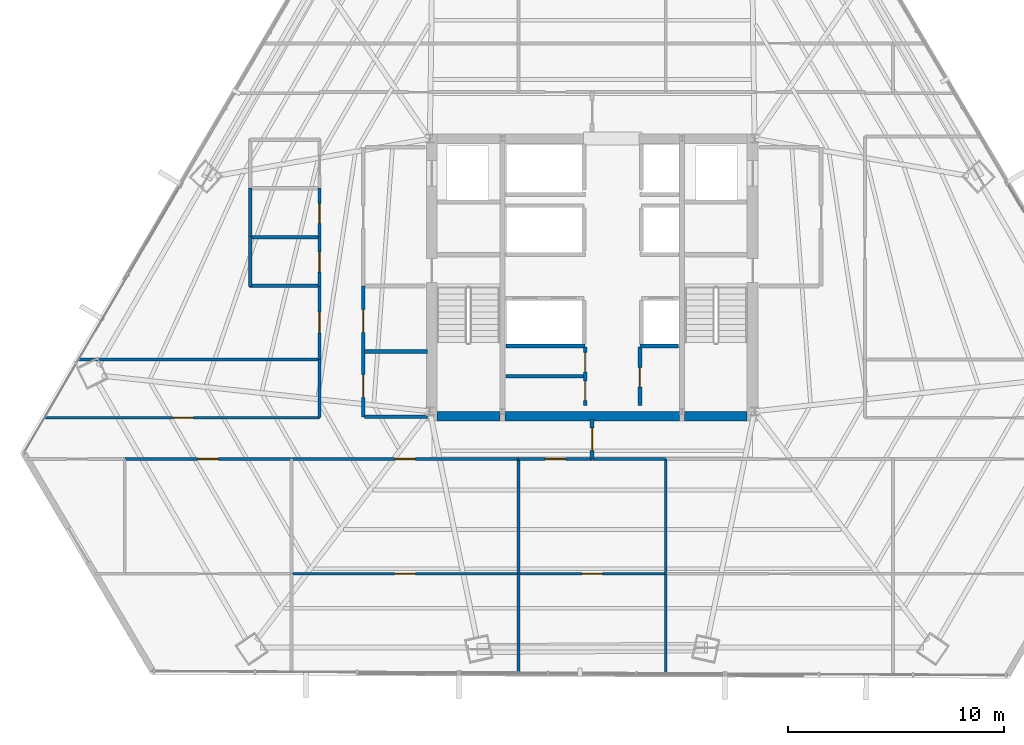
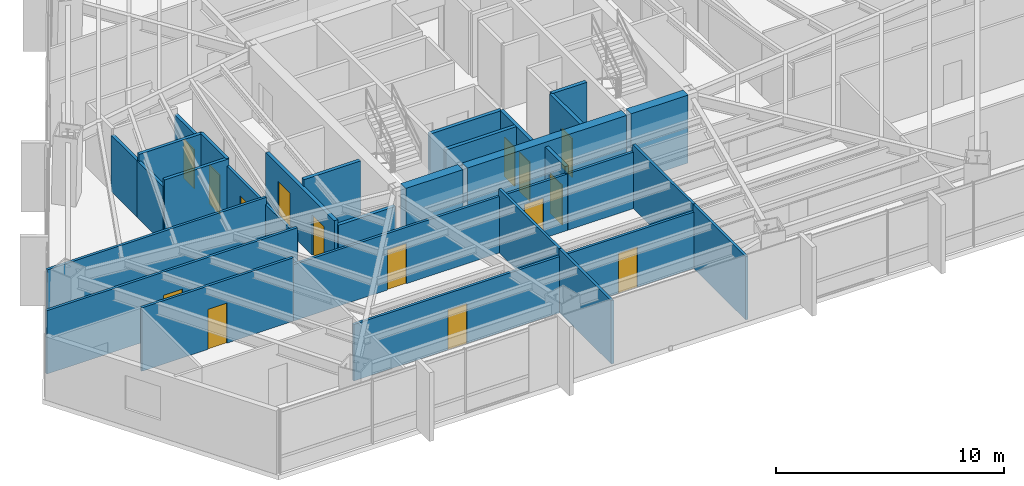
# One storey, part 29 of 35: 32 walls, 15 doors, 15 openings.
"""IFC4 building model written with IfcOpenShell, lengths in metres."""

from ifc_helpers import new_model, si_unit, direction, frame, frame_2d, origin, place, context, subcontext, project, spatial, rectangle, extrude, material, layer, layer_set, type_object, element, fill, save


model = new_model("IFC4")

# Units and contexts
model_context = context("Model", 3, precision=1e-05, world=origin(), true_north=direction((0.0, 1.0)))
body_context = subcontext(model_context, "Body", "Model", "MODEL_VIEW")
ifc_project = project(units=[si_unit("LENGTHUNIT", "METRE"), si_unit("AREAUNIT", "SQUARE_METRE"), si_unit("VOLUMEUNIT", "CUBIC_METRE"), si_unit("PLANEANGLEUNIT", "RADIAN"), si_unit("MASSUNIT", "GRAM", prefix="KILO")], contexts=[model_context])

# Site, building, storey
site_placement = place(None, origin())
site = spatial("IfcSite", under=ifc_project, at=site_placement, CompositionType="ELEMENT")
building_placement = place(site_placement, origin())
building = spatial("IfcBuilding", under=site, at=building_placement, Name="Caelisora Broadcast Tower", CompositionType="ELEMENT")
storey_placement = place(building_placement, frame((0.0, 0.0, 109.050048828125)))
storey = spatial("IfcBuildingStorey", under=building, at=storey_placement, Name="L28", CompositionType="ELEMENT", Elevation=109.050048828125)

# Walls
ifc_material_1 = material(Name="Concrete 50 MPa (AS 3600 S50)", Category="concrete")
ifc_layer_1 = layer(ifc_material_1, 0.449951171875, Name="Concrete 50 MPa (AS 3600 S50)")
ifc_layer_set_1 = layer_set([ifc_layer_1], Name="Concrete 50 MPa (AS 3600 S50)")
wall_type_1 = type_object("IfcWallType", Name="CW5", PredefinedType="SHEAR", material=ifc_layer_set_1)
wall_1_placement = place(storey_placement, frame((30.840087890625, 17.175048828125, 0.0), z_axis=(0.0, 0.0, 1.0), x_axis=(1.0, 0.0, 0.0)))
element("IfcWall", 1, at=wall_1_placement, inside=storey, type_object=wall_type_1, Name="L28 core shear wall CW5", PredefinedType="SHEAR", context=body_context, shape_type="SweptSolid", body=[
    extrude(rectangle(XDim=2.89990234375, YDim=0.449951171875, at=frame_2d((1.449951171875, 0.0))), origin(), (0.0, 0.0, 1.0), 3.64990234375),
])
wall_2_placement = place(storey_placement, frame((33.9599609375, 17.175048828125, 0.0), z_axis=(0.0, 0.0, 1.0), x_axis=(1.0, 0.0, 0.0)))
element("IfcWall", 2, at=wall_2_placement, inside=storey, type_object=wall_type_1, Name="L28 core shear wall CW5", PredefinedType="SHEAR", context=body_context, shape_type="SweptSolid", body=[
    extrude(rectangle(XDim=8.080078125, YDim=0.449951171875, at=frame_2d((4.0400390625, 0.0))), origin(), (0.0, 0.0, 1.0), 3.64990234375),
])
wall_3_placement = place(storey_placement, frame((42.260009765625, 17.175048828125, 0.0), z_axis=(0.0, 0.0, 1.0), x_axis=(1.0, 0.0, 0.0)))
element("IfcWall", 3, at=wall_3_placement, inside=storey, type_object=wall_type_1, Name="L28 core shear wall CW5", PredefinedType="SHEAR", context=body_context, shape_type="SweptSolid", body=[
    extrude(rectangle(XDim=2.89990234375, YDim=0.449951171875, at=frame_2d((1.449951171875, 0.0))), origin(), (0.0, 0.0, 1.0), 3.64990234375),
])
ifc_material_2 = material(Name="Fire-Rated Gypsum Shaft and Compartment Wall", Category="gypsum")
ifc_layer_2 = layer(ifc_material_2, 0.179931640625, Name="Fire-Rated Gypsum Shaft and Compartment Wall")
ifc_layer_set_2 = layer_set([ifc_layer_2], Name="Fire-Rated Gypsum Shaft and Compartment Wall")
wall_type_2 = type_object("IfcWallType", Name="PW2", PredefinedType="PARTITIONING", material=ifc_layer_set_2)
wall_4_placement = place(storey_placement, frame((34.02001953125, 20.419921875, 0.0), z_axis=(0.0, 0.0, 1.0), x_axis=(1.0, 0.0, 0.0)))
element("IfcWall", 4, at=wall_4_placement, inside=storey, type_object=wall_type_2, Name="L28 fire compartment wall PW2", PredefinedType="PARTITIONING", context=body_context, shape_type="SweptSolid", body=[
    extrude(rectangle(XDim=3.639892578125, YDim=0.179931640625, at=frame_2d((1.81982421875, 0.0))), origin(), (0.0, 0.0, 1.0), 3.39990234375),
])
wall_5_placement = place(storey_placement, frame((40.219970703125, 20.419921875, 0.0), z_axis=(0.0, 0.0, 1.0), x_axis=(1.0, 0.0, 0.0)))
element("IfcWall", 5, at=wall_5_placement, inside=storey, type_object=wall_type_2, Name="L28 fire compartment wall PW2", PredefinedType="PARTITIONING", context=body_context, shape_type="SweptSolid", body=[
    extrude(rectangle(XDim=1.760009765625, YDim=0.179931640625, at=frame_2d((0.8798828125, 0.0))), origin(), (0.0, 0.0, 1.0), 3.39990234375),
])
wall_6_placement = place(storey_placement, frame((34.02001953125, 19.02001953125, 0.0), z_axis=(0.0, 0.0, 1.0), x_axis=(1.0, 0.0, 0.0)))
element("IfcWall", 6, at=wall_6_placement, inside=storey, type_object=wall_type_2, Name="L28 fire compartment wall PW2", PredefinedType="PARTITIONING", context=body_context, shape_type="SweptSolid", body=[
    extrude(rectangle(XDim=3.580078125, YDim=0.179931640625, at=frame_2d((1.7900390625, 0.0))), origin(), (0.0, 0.0, 1.0), 3.39990234375),
])

# Wall, openings, doors
wall_7_placement = place(storey_placement, frame((37.679931640625, 17.679931640625, 0.0), z_axis=(0.0, 0.0, 1.0), x_axis=(0.0, 1.0, 0.0)))
wall_7 = element("IfcWall", 7, at=wall_7_placement, inside=storey, type_object=wall_type_2, Name="L28 fire compartment wall PW2", PredefinedType="PARTITIONING", context=body_context, shape_type="SweptSolid", body=[
    extrude(rectangle(XDim=2.699951171875, YDim=0.179931640625, at=frame_2d((1.35009765625, 0.0))), origin(), (0.0, 0.0, 1.0), 3.39990234375),
])
opening_1_placement = place(wall_7_placement, frame((0.219970703125, 0.0, 0.0)))
opening_1 = element("IfcOpeningElement", 8, at=opening_1_placement, cuts=wall_7, Name="Opening FD03", PredefinedType="OPENING", context=body_context, shape_type="SweptSolid", body=[
    extrude(rectangle(XDim=0.89990234375, YDim=2.10009765625, at=frame_2d((0.449951171875, 1.050048828125))), frame((0.0, 0.10205078125, 0.0), z_axis=(0.0, -1.0, 0.0), x_axis=(1.0, 0.0, 0.0)), (0.0, 0.0, 1.0), 0.203857421875),
])
opening_2_placement = place(wall_7_placement, frame((1.5400390625, 0.0, 0.0)))
opening_2 = element("IfcOpeningElement", 9, at=opening_2_placement, cuts=wall_7, Name="Opening FD03", PredefinedType="OPENING", context=body_context, shape_type="SweptSolid", body=[
    extrude(rectangle(XDim=0.89990234375, YDim=2.10009765625, at=frame_2d((0.449951171875, 1.050048828125))), frame((0.0, 0.10205078125, 0.0), z_axis=(0.0, -1.0, 0.0), x_axis=(1.0, 0.0, 0.0)), (0.0, 0.0, 1.0), 0.203857421875),
])
ifc_material_3 = material(Name="Single-Leaf Steel Riser Fire Access Door", Category="steel")
door_type_1 = type_object("IfcDoorType", Name="FD03", OperationType="NOTDEFINED", PredefinedType="DOOR", material=ifc_material_3)
door_1_placement = place(opening_1_placement, origin())
door_1 = element("IfcDoor", 10, at=door_1_placement, inside=storey, type_object=door_type_1, Name="L28 door FD03 (L28-DR-P12D1)", OperationType="SINGLE_SWING_RIGHT", OverallHeight=2.10009765625, OverallWidth=0.89990234375, PredefinedType="DOOR", context=body_context, shape_type="SweptSolid", body=[
    extrude(rectangle(XDim=0.89990234375, YDim=2.10009765625, at=frame_2d((0.449951171875, 1.050048828125))), frame((0.0, 0.02490234375, 0.0), z_axis=(0.0, -1.0, 0.0), x_axis=(1.0, 0.0, 0.0)), (0.0, 0.0, 1.0), 0.050048828125),
])
fill(opening_1, door_1)
door_2_placement = place(opening_2_placement, origin())
door_2 = element("IfcDoor", 11, at=door_2_placement, inside=storey, type_object=door_type_1, Name="L28 door FD03 (L28-DR-P12D2)", OperationType="SINGLE_SWING_LEFT", OverallHeight=2.10009765625, OverallWidth=0.89990234375, PredefinedType="DOOR", context=body_context, shape_type="SweptSolid", body=[
    extrude(rectangle(XDim=0.89990234375, YDim=2.10009765625, at=frame_2d((0.449951171875, 1.050048828125))), frame((0.0, 0.02490234375, 0.0), z_axis=(0.0, -1.0, 0.0), x_axis=(1.0, 0.0, 0.0)), (0.0, 0.0, 1.0), 0.050048828125),
])
fill(opening_2, door_2)

# Wall, opening, door
wall_8_placement = place(storey_placement, frame((40.199951171875, 17.679931640625, 0.0), z_axis=(0.0, 0.0, 1.0), x_axis=(0.0, 1.0, 0.0)))
wall_8 = element("IfcWall", 12, at=wall_8_placement, inside=storey, type_object=wall_type_2, Name="L28 fire compartment wall PW2", PredefinedType="PARTITIONING", context=body_context, shape_type="SweptSolid", body=[
    extrude(rectangle(XDim=2.699951171875, YDim=0.179931640625, at=frame_2d((1.35009765625, 0.0))), origin(), (0.0, 0.0, 1.0), 3.39990234375),
])
opening_3_placement = place(wall_8_placement, frame((0.85009765625, 0.0, 0.0)))
opening_3 = element("IfcOpeningElement", 13, at=opening_3_placement, cuts=wall_8, Name="Opening FD03", PredefinedType="OPENING", context=body_context, shape_type="SweptSolid", body=[
    extrude(rectangle(XDim=0.89990234375, YDim=2.10009765625, at=frame_2d((0.449951171875, 1.050048828125))), frame((0.0, 0.10205078125, 0.0), z_axis=(0.0, -1.0, 0.0), x_axis=(1.0, 0.0, 0.0)), (0.0, 0.0, 1.0), 0.203857421875),
])
door_3_placement = place(opening_3_placement, origin())
door_3 = element("IfcDoor", 14, at=door_3_placement, inside=storey, type_object=door_type_1, Name="L28 door FD03 (L28-DR-P13D1)", OperationType="SINGLE_SWING_RIGHT", OverallHeight=2.10009765625, OverallWidth=0.89990234375, PredefinedType="DOOR", context=body_context, shape_type="SweptSolid", body=[
    extrude(rectangle(XDim=0.89990234375, YDim=2.10009765625, at=frame_2d((0.449951171875, 1.050048828125))), frame((0.0, 0.02490234375, 0.0), z_axis=(0.0, -1.0, 0.0), x_axis=(1.0, 0.0, 0.0)), (0.0, 0.0, 1.0), 0.050048828125),
])
fill(opening_3, door_3)

# Wall
wall_9_placement = place(storey_placement, frame((27.47998046875, 20.169921875, 0.0), z_axis=(0.0, 0.0, 1.0), x_axis=(1.0, 0.0, 0.0)))
element("IfcWall", 15, at=wall_9_placement, inside=storey, type_object=wall_type_2, Name="L28 fire compartment wall PW2", PredefinedType="PARTITIONING", context=body_context, shape_type="SweptSolid", body=[
    extrude(rectangle(XDim=2.89990234375, YDim=0.179931640625, at=frame_2d((1.449951171875, 0.0))), origin(), (0.0, 0.0, 1.0), 3.39990234375),
])

# Wall, openings, doors
wall_10_placement = place(storey_placement, frame((27.419921875, 17.14990234375, 0.0), z_axis=(0.0, 0.0, 1.0), x_axis=(0.0, 1.0, 0.0)))
wall_10 = element("IfcWall", 16, at=wall_10_placement, inside=storey, type_object=wall_type_2, Name="L28 fire compartment wall PW2", PredefinedType="PARTITIONING", context=body_context, shape_type="SweptSolid", body=[
    extrude(rectangle(XDim=6.030029296875, YDim=0.179931640625, at=frame_2d((3.01513671875, 0.0))), origin(), (0.0, 0.0, 1.0), 3.0263671875),
])
opening_4_placement = place(wall_10_placement, frame((0.89990234375, 0.0, 0.0)))
opening_4 = element("IfcOpeningElement", 17, at=opening_4_placement, cuts=wall_10, Name="Opening FD02", PredefinedType="OPENING", context=body_context, shape_type="SweptSolid", body=[
    extrude(rectangle(XDim=1.050048828125, YDim=2.14990234375, at=frame_2d((0.52490234375, 1.074951171875))), frame((0.0, 0.10205078125, 0.0), z_axis=(0.0, -1.0, 0.0), x_axis=(1.0, 0.0, 0.0)), (0.0, 0.0, 1.0), 0.203857421875),
])
opening_5_placement = place(wall_10_placement, frame((3.89990234375, 0.0, 0.0)))
opening_5 = element("IfcOpeningElement", 18, at=opening_5_placement, cuts=wall_10, Name="Opening FD02", PredefinedType="OPENING", context=body_context, shape_type="SweptSolid", body=[
    extrude(rectangle(XDim=1.050048828125, YDim=2.14990234375, at=frame_2d((0.52490234375, 1.074951171875))), frame((0.0, 0.10205078125, 0.0), z_axis=(0.0, -1.0, 0.0), x_axis=(1.0, 0.0, 0.0)), (0.0, 0.0, 1.0), 0.203857421875),
])
ifc_material_4 = material(Name="Single-Leaf Steel Fire Lobby Door", Category="steel")
door_type_2 = type_object("IfcDoorType", Name="FD02", OperationType="NOTDEFINED", PredefinedType="DOOR", material=ifc_material_4)
door_4_placement = place(opening_4_placement, origin())
door_4 = element("IfcDoor", 19, at=door_4_placement, inside=storey, type_object=door_type_2, Name="L28 door FD02 (L28-DR-P15D1)", OperationType="SINGLE_SWING_LEFT", OverallHeight=2.14990234375, OverallWidth=1.050048828125, PredefinedType="DOOR", context=body_context, shape_type="SweptSolid", body=[
    extrude(rectangle(XDim=1.050048828125, YDim=2.14990234375, at=frame_2d((0.52490234375, 1.074951171875))), frame((0.0, 0.02490234375, 0.0), z_axis=(0.0, -1.0, 0.0), x_axis=(1.0, 0.0, 0.0)), (0.0, 0.0, 1.0), 0.050048828125),
])
fill(opening_4, door_4)
door_5_placement = place(opening_5_placement, origin())
door_5 = element("IfcDoor", 20, at=door_5_placement, inside=storey, type_object=door_type_2, Name="L28 door FD02 (L28-DR-P15D2)", OperationType="SINGLE_SWING_RIGHT", OverallHeight=2.14990234375, OverallWidth=1.050048828125, PredefinedType="DOOR", context=body_context, shape_type="SweptSolid", body=[
    extrude(rectangle(XDim=1.050048828125, YDim=2.14990234375, at=frame_2d((0.52490234375, 1.074951171875))), frame((0.0, 0.02490234375, 0.0), z_axis=(0.0, -1.0, 0.0), x_axis=(1.0, 0.0, 0.0)), (0.0, 0.0, 1.0), 0.050048828125),
])
fill(opening_5, door_5)

# Wall
wall_11_placement = place(storey_placement, frame((27.47998046875, 17.14990234375, 0.0), z_axis=(0.0, 0.0, 1.0), x_axis=(1.0, 0.0, 0.0)))
element("IfcWall", 21, at=wall_11_placement, inside=storey, type_object=wall_type_2, Name="L28 fire compartment wall PW2", PredefinedType="PARTITIONING", context=body_context, shape_type="SweptSolid", body=[
    extrude(rectangle(XDim=2.89990234375, YDim=0.179931640625, at=frame_2d((1.449951171875, 0.0))), origin(), (0.0, 0.0, 1.0), 2.78271484375),
])

# Wall, opening, door
wall_12_placement = place(storey_placement, frame((38.0, 15.205078125, 0.0), z_axis=(0.0, 0.0, 1.0), x_axis=(0.0, 1.0, 0.0)))
wall_12 = element("IfcWall", 22, at=wall_12_placement, inside=storey, type_object=wall_type_2, Name="L28 fire compartment wall PW2", PredefinedType="PARTITIONING", context=body_context, shape_type="SweptSolid", body=[
    extrude(rectangle(XDim=1.81982421875, YDim=0.179931640625, at=frame_2d((0.909912109375, 0.0))), origin(), (0.0, 0.0, 1.0), 3.39990234375),
])
opening_6_placement = place(wall_12_placement, frame((0.385009765625, 0.0, 0.0)))
opening_6 = element("IfcOpeningElement", 23, at=opening_6_placement, cuts=wall_12, Name="Opening FD02", PredefinedType="OPENING", context=body_context, shape_type="SweptSolid", body=[
    extrude(rectangle(XDim=1.050048828125, YDim=2.14990234375, at=frame_2d((0.52490234375, 1.074951171875))), frame((0.0, 0.10205078125, 0.0), z_axis=(0.0, -1.0, 0.0), x_axis=(1.0, 0.0, 0.0)), (0.0, 0.0, 1.0), 0.203857421875),
])
door_6_placement = place(opening_6_placement, origin())
door_6 = element("IfcDoor", 24, at=door_6_placement, inside=storey, type_object=door_type_2, Name="L28 door FD02 (L28-DR-P78D1)", OperationType="SINGLE_SWING_LEFT", OverallHeight=2.14990234375, OverallWidth=1.050048828125, PredefinedType="DOOR", context=body_context, shape_type="SweptSolid", body=[
    extrude(rectangle(XDim=1.050048828125, YDim=2.14990234375, at=frame_2d((0.52490234375, 1.074951171875))), frame((0.0, 0.02490234375, 0.0), z_axis=(0.0, -1.0, 0.0), x_axis=(1.0, 0.0, 0.0)), (0.0, 0.0, 1.0), 0.050048828125),
])
fill(opening_6, door_6)

ifc_material_5 = material(Name="Acoustic Steel-Stud Plasterboard Partition", Category="gypsum")
ifc_layer_3 = layer(ifc_material_5, 0.1298828125, Name="Acoustic Steel-Stud Plasterboard Partition")
ifc_layer_set_3 = layer_set([ifc_layer_3], Name="Acoustic Steel-Stud Plasterboard Partition")
wall_type_3 = type_object("IfcWallType", Name="PW3", PredefinedType="PARTITIONING", material=ifc_layer_set_3)
wall_13_placement = place(storey_placement, frame((12.68603515625, 17.10009765625, 0.0), z_axis=(0.0, 0.0, 1.0), x_axis=(1.0, 0.0, 0.0)))
wall_13 = element("IfcWall", 25, at=wall_13_placement, inside=storey, type_object=wall_type_3, Name="L28 internal partition PW3", PredefinedType="PARTITIONING", context=body_context, shape_type="SweptSolid", body=[
    extrude(rectangle(XDim=12.708984375, YDim=0.1298828125, at=frame_2d((6.3544921875, 0.0))), origin(), (0.0, 0.0, 1.0), 3.39990234375),
])
opening_7_placement = place(wall_13_placement, frame((5.927978515625, 0.0, 0.0)))
opening_7 = element("IfcOpeningElement", 26, at=opening_7_placement, cuts=wall_13, Name="Opening D01", PredefinedType="OPENING", context=body_context, shape_type="SweptSolid", body=[
    extrude(rectangle(XDim=0.9599609375, YDim=2.14990234375, at=frame_2d((0.47998046875, 1.074951171875))), frame((0.0, 0.076904296875, 0.0), z_axis=(0.0, -1.0, 0.0), x_axis=(1.0, 0.0, 0.0)), (0.0, 0.0, 1.0), 0.15380859375),
])
ifc_material_6 = material(Name="Solid-Core Timber Acoustic Office Door", Category="wood")
door_type_3 = type_object("IfcDoorType", Name="D01", OperationType="NOTDEFINED", PredefinedType="DOOR", material=ifc_material_6)
door_7_placement = place(opening_7_placement, origin())
door_7 = element("IfcDoor", 27, at=door_7_placement, inside=storey, type_object=door_type_3, Name="L28 door D01 (L28-DR-P29D1)", OperationType="SINGLE_SWING_LEFT", OverallHeight=2.14990234375, OverallWidth=0.9599609375, PredefinedType="DOOR", context=body_context, shape_type="SweptSolid", body=[
    extrude(rectangle(XDim=0.9599609375, YDim=2.14990234375, at=frame_2d((0.47998046875, 1.074951171875))), frame((0.0, 0.02490234375, 0.0), z_axis=(0.0, -1.0, 0.0), x_axis=(1.0, 0.0, 0.0)), (0.0, 0.0, 1.0), 0.050048828125),
])
fill(opening_7, door_7)

# Wall
wall_14_placement = place(storey_placement, frame((14.26806640625, 19.800048828125, 0.0), z_axis=(0.0, 0.0, 1.0), x_axis=(1.0, 0.0, 0.0)))
element("IfcWall", 28, at=wall_14_placement, inside=storey, type_object=wall_type_3, Name="L28 internal partition PW3", PredefinedType="PARTITIONING", context=body_context, shape_type="SweptSolid", body=[
    extrude(rectangle(XDim=11.126953125, YDim=0.1298828125, at=frame_2d((5.5634765625, 0.0))), origin(), (0.0, 0.0, 1.0), 3.39990234375),
])

# Wall, opening, door
wall_15_placement = place(storey_placement, frame((24.10498046875, 15.199951171875, 0.0), z_axis=(0.0, 0.0, 1.0), x_axis=(1.0, 0.0, 0.0)))
wall_15 = element("IfcWall", 29, at=wall_15_placement, inside=storey, type_object=wall_type_3, Name="L28 internal partition PW3", PredefinedType="PARTITIONING", context=body_context, shape_type="SweptSolid", body=[
    extrude(rectangle(XDim=10.489990234375, YDim=0.1298828125, at=frame_2d((5.2451171875, 0.0))), origin(), (0.0, 0.0, 1.0), 3.0263671875),
])
opening_8_placement = place(wall_15_placement, frame((4.764892578125, 0.0, 0.0)))
opening_8 = element("IfcOpeningElement", 30, at=opening_8_placement, cuts=wall_15, Name="Opening D01", PredefinedType="OPENING", context=body_context, shape_type="SweptSolid", body=[
    extrude(rectangle(XDim=0.9599609375, YDim=2.14990234375, at=frame_2d((0.47998046875, 1.074951171875))), frame((0.0, 0.076904296875, 0.0), z_axis=(0.0, -1.0, 0.0), x_axis=(1.0, 0.0, 0.0)), (0.0, 0.0, 1.0), 0.15380859375),
])
door_8_placement = place(opening_8_placement, origin())
door_8 = element("IfcDoor", 31, at=door_8_placement, inside=storey, type_object=door_type_3, Name="L28 door D01 (L28-DR-P34D1)", OperationType="SINGLE_SWING_LEFT", OverallHeight=2.14990234375, OverallWidth=0.9599609375, PredefinedType="DOOR", context=body_context, shape_type="SweptSolid", body=[
    extrude(rectangle(XDim=0.9599609375, YDim=2.14990234375, at=frame_2d((0.47998046875, 1.074951171875))), frame((0.0, 0.02490234375, 0.0), z_axis=(0.0, -1.0, 0.0), x_axis=(1.0, 0.0, 0.0)), (0.0, 0.0, 1.0), 0.050048828125),
])
fill(opening_8, door_8)

wall_16_placement = place(storey_placement, frame((24.10498046875, 9.89990234375, 0.0), z_axis=(0.0, 0.0, 1.0), x_axis=(1.0, 0.0, 0.0)))
wall_16 = element("IfcWall", 32, at=wall_16_placement, inside=storey, type_object=wall_type_3, Name="L28 internal partition PW3", PredefinedType="PARTITIONING", context=body_context, shape_type="SweptSolid", body=[
    extrude(rectangle(XDim=10.489990234375, YDim=0.1298828125, at=frame_2d((5.2451171875, 0.0))), origin(), (0.0, 0.0, 1.0), 3.0263671875),
])
opening_9_placement = place(wall_16_placement, frame((4.764892578125, 0.0, 0.0)))
opening_9 = element("IfcOpeningElement", 33, at=opening_9_placement, cuts=wall_16, Name="Opening D01", PredefinedType="OPENING", context=body_context, shape_type="SweptSolid", body=[
    extrude(rectangle(XDim=0.9599609375, YDim=2.14990234375, at=frame_2d((0.47998046875, 1.074951171875))), frame((0.0, 0.076904296875, 0.0), z_axis=(0.0, -1.0, 0.0), x_axis=(1.0, 0.0, 0.0)), (0.0, 0.0, 1.0), 0.15380859375),
])
door_9_placement = place(opening_9_placement, origin())
door_9 = element("IfcDoor", 34, at=door_9_placement, inside=storey, type_object=door_type_3, Name="L28 door D01 (L28-DR-P36D1)", OperationType="SINGLE_SWING_LEFT", OverallHeight=2.14990234375, OverallWidth=0.9599609375, PredefinedType="DOOR", context=body_context, shape_type="SweptSolid", body=[
    extrude(rectangle(XDim=0.9599609375, YDim=2.14990234375, at=frame_2d((0.47998046875, 1.074951171875))), frame((0.0, 0.02490234375, 0.0), z_axis=(0.0, -1.0, 0.0), x_axis=(1.0, 0.0, 0.0)), (0.0, 0.0, 1.0), 0.050048828125),
])
fill(opening_9, door_9)

wall_17_placement = place(storey_placement, frame((16.405029296875, 15.199951171875, 0.0), z_axis=(0.0, 0.0, 1.0), x_axis=(1.0, 0.0, 0.0)))
wall_17 = element("IfcWall", 35, at=wall_17_placement, inside=storey, type_object=wall_type_3, Name="L28 internal partition PW3", PredefinedType="PARTITIONING", context=body_context, shape_type="SweptSolid", body=[
    extrude(rectangle(XDim=7.68994140625, YDim=0.1298828125, at=frame_2d((3.844970703125, 0.0))), origin(), (0.0, 0.0, 1.0), 3.39990234375),
])
opening_10_placement = place(wall_17_placement, frame((3.364990234375, 0.0, 0.0)))
opening_10 = element("IfcOpeningElement", 36, at=opening_10_placement, cuts=wall_17, Name="Opening D01", PredefinedType="OPENING", context=body_context, shape_type="SweptSolid", body=[
    extrude(rectangle(XDim=0.9599609375, YDim=2.14990234375, at=frame_2d((0.47998046875, 1.074951171875))), frame((0.0, 0.076904296875, 0.0), z_axis=(0.0, -1.0, 0.0), x_axis=(1.0, 0.0, 0.0)), (0.0, 0.0, 1.0), 0.15380859375),
])
door_10_placement = place(opening_10_placement, origin())
door_10 = element("IfcDoor", 37, at=door_10_placement, inside=storey, type_object=door_type_3, Name="L28 door D01 (L28-DR-P46D1)", OperationType="SINGLE_SWING_RIGHT", OverallHeight=2.14990234375, OverallWidth=0.9599609375, PredefinedType="DOOR", context=body_context, shape_type="SweptSolid", body=[
    extrude(rectangle(XDim=0.9599609375, YDim=2.14990234375, at=frame_2d((0.47998046875, 1.074951171875))), frame((0.0, 0.02490234375, 0.0), z_axis=(0.0, -1.0, 0.0), x_axis=(1.0, 0.0, 0.0)), (0.0, 0.0, 1.0), 0.050048828125),
])
fill(opening_10, door_10)

wall_18_placement = place(storey_placement, frame((34.60498046875, 9.89990234375, 0.0), z_axis=(0.0, 0.0, 1.0), x_axis=(1.0, 0.0, 0.0)))
wall_18 = element("IfcWall", 38, at=wall_18_placement, inside=storey, type_object=wall_type_3, Name="L28 internal partition PW3", PredefinedType="PARTITIONING", context=body_context, shape_type="SweptSolid", body=[
    extrude(rectangle(XDim=6.7900390625, YDim=0.1298828125, at=frame_2d((3.39501953125, 0.0))), origin(), (0.0, 0.0, 1.0), 3.0263671875),
])
opening_11_placement = place(wall_18_placement, frame((2.9150390625, 0.0, 0.0)))
opening_11 = element("IfcOpeningElement", 39, at=opening_11_placement, cuts=wall_18, Name="Opening D01", PredefinedType="OPENING", context=body_context, shape_type="SweptSolid", body=[
    extrude(rectangle(XDim=0.9599609375, YDim=2.14990234375, at=frame_2d((0.47998046875, 1.074951171875))), frame((0.0, 0.076904296875, 0.0), z_axis=(0.0, -1.0, 0.0), x_axis=(1.0, 0.0, 0.0)), (0.0, 0.0, 1.0), 0.15380859375),
])
door_11_placement = place(opening_11_placement, origin())
door_11 = element("IfcDoor", 40, at=door_11_placement, inside=storey, type_object=door_type_3, Name="L28 door D01 (L28-DR-P51D1)", OperationType="SINGLE_SWING_RIGHT", OverallHeight=2.14990234375, OverallWidth=0.9599609375, PredefinedType="DOOR", context=body_context, shape_type="SweptSolid", body=[
    extrude(rectangle(XDim=0.9599609375, YDim=2.14990234375, at=frame_2d((0.47998046875, 1.074951171875))), frame((0.0, 0.02490234375, 0.0), z_axis=(0.0, -1.0, 0.0), x_axis=(1.0, 0.0, 0.0)), (0.0, 0.0, 1.0), 0.050048828125),
])
fill(opening_11, door_11)

# Walls
for number, where, z_axis, x_axis, name in (
    (41, (34.60009765625, 9.905029296875, 0.0), (0.0, 0.0, 1.0), (0.0, 1.0, 0.0), "L28 internal partition PW3"),
    (42, (41.39990234375, 9.905029296875, 0.0), (0.0, 0.0, 1.0), (0.0, 1.0, 0.0), "L28 internal partition PW3"),
):
    element("IfcWall", number, at=place(storey_placement, frame(where, z_axis=z_axis, x_axis=x_axis)), inside=storey, type_object=wall_type_3, Name=name, PredefinedType="PARTITIONING", context=body_context, shape_type="SweptSolid", body=[
        extrude(rectangle(XDim=5.2900390625, YDim=0.1298828125, at=frame_2d((2.64501953125, 0.0))), origin(), (0.0, 0.0, 1.0), 3.39990234375),
    ])
wall_19_placement = place(storey_placement, frame((41.39990234375, 5.27587890625, 0.0), z_axis=(0.0, 0.0, 1.0), x_axis=(0.0, 1.0, 0.0)))
element("IfcWall", 43, at=wall_19_placement, inside=storey, type_object=wall_type_3, Name="L28 internal partition PW3", PredefinedType="PARTITIONING", context=body_context, shape_type="SweptSolid", body=[
    extrude(rectangle(XDim=4.619140625, YDim=0.1298828125, at=frame_2d((2.3095703125, 0.0))), origin(), (0.0, 0.0, 1.0), 3.39990234375),
])
wall_20_placement = place(storey_placement, frame((34.60009765625, 5.30712890625, 0.0), z_axis=(0.0, 0.0, 1.0), x_axis=(0.0, 1.0, 0.0)))
element("IfcWall", 44, at=wall_20_placement, inside=storey, type_object=wall_type_3, Name="L28 internal partition PW3", PredefinedType="PARTITIONING", context=body_context, shape_type="SweptSolid", body=[
    extrude(rectangle(XDim=4.587890625, YDim=0.1298828125, at=frame_2d((2.2939453125, 0.0))), origin(), (0.0, 0.0, 1.0), 3.39990234375),
])

# Wall, opening, door
wall_21_placement = place(storey_placement, frame((25.39990234375, 19.804931640625, 0.0), z_axis=(0.0, 0.0, 1.0), x_axis=(0.0, 1.0, 0.0)))
wall_21 = element("IfcWall", 45, at=wall_21_placement, inside=storey, type_object=wall_type_3, Name="L28 internal partition PW3", PredefinedType="PARTITIONING", context=body_context, shape_type="SweptSolid", body=[
    extrude(rectangle(XDim=3.39013671875, YDim=0.1298828125, at=frame_2d((1.695068359375, 0.0))), origin(), (0.0, 0.0, 1.0), 3.0263671875),
])
opening_12_placement = place(wall_21_placement, frame((1.215087890625, 0.0, 0.0)))
opening_12 = element("IfcOpeningElement", 46, at=opening_12_placement, cuts=wall_21, Name="Opening D01", PredefinedType="OPENING", context=body_context, shape_type="SweptSolid", body=[
    extrude(rectangle(XDim=0.9599609375, YDim=2.14990234375, at=frame_2d((0.47998046875, 1.074951171875))), frame((0.0, 0.076904296875, 0.0), z_axis=(0.0, -1.0, 0.0), x_axis=(1.0, 0.0, 0.0)), (0.0, 0.0, 1.0), 0.15380859375),
])
door_12_placement = place(opening_12_placement, origin())
door_12 = element("IfcDoor", 47, at=door_12_placement, inside=storey, type_object=door_type_3, Name="L28 door D01 (L28-DR-RSC01)", OperationType="SINGLE_SWING_LEFT", OverallHeight=2.14990234375, OverallWidth=0.9599609375, PredefinedType="DOOR", context=body_context, shape_type="SweptSolid", body=[
    extrude(rectangle(XDim=0.9599609375, YDim=2.14990234375, at=frame_2d((0.47998046875, 1.074951171875))), frame((0.0, 0.02490234375, 0.0), z_axis=(0.0, -1.0, 0.0), x_axis=(1.0, 0.0, 0.0)), (0.0, 0.0, 1.0), 0.050048828125),
])
fill(opening_12, door_12)

wall_22_placement = place(storey_placement, frame((34.60498046875, 15.199951171875, 0.0), z_axis=(0.0, 0.0, 1.0), x_axis=(1.0, 0.0, 0.0)))
wall_22 = element("IfcWall", 48, at=wall_22_placement, inside=storey, type_object=wall_type_3, Name="L28 internal partition PW3", PredefinedType="PARTITIONING", context=body_context, shape_type="SweptSolid", body=[
    extrude(rectangle(XDim=3.39013671875, YDim=0.1298828125, at=frame_2d((1.695068359375, 0.0))), origin(), (0.0, 0.0, 1.0), 3.0263671875),
])
opening_13_placement = place(wall_22_placement, frame((1.215087890625, 0.0, 0.0)))
opening_13 = element("IfcOpeningElement", 49, at=opening_13_placement, cuts=wall_22, Name="Opening D01", PredefinedType="OPENING", context=body_context, shape_type="SweptSolid", body=[
    extrude(rectangle(XDim=0.9599609375, YDim=2.14990234375, at=frame_2d((0.47998046875, 1.074951171875))), frame((0.0, 0.076904296875, 0.0), z_axis=(0.0, -1.0, 0.0), x_axis=(1.0, 0.0, 0.0)), (0.0, 0.0, 1.0), 0.15380859375),
])
door_13_placement = place(opening_13_placement, origin())
door_13 = element("IfcDoor", 50, at=door_13_placement, inside=storey, type_object=door_type_3, Name="L28 door D01 (L28-DR-P69D1)", OperationType="SINGLE_SWING_RIGHT", OverallHeight=2.14990234375, OverallWidth=0.9599609375, PredefinedType="DOOR", context=body_context, shape_type="SweptSolid", body=[
    extrude(rectangle(XDim=0.9599609375, YDim=2.14990234375, at=frame_2d((0.47998046875, 1.074951171875))), frame((0.0, 0.02490234375, 0.0), z_axis=(0.0, -1.0, 0.0), x_axis=(1.0, 0.0, 0.0)), (0.0, 0.0, 1.0), 0.050048828125),
])
fill(opening_13, door_13)

# Walls
wall_23_placement = place(storey_placement, frame((38.0048828125, 15.199951171875, 0.0), z_axis=(0.0, 0.0, 1.0), x_axis=(1.0, 0.0, 0.0)))
element("IfcWall", 51, at=wall_23_placement, inside=storey, type_object=wall_type_3, Name="L28 internal partition PW3", PredefinedType="PARTITIONING", context=body_context, shape_type="SweptSolid", body=[
    extrude(rectangle(XDim=3.39013671875, YDim=0.1298828125, at=frame_2d((1.695068359375, 0.0))), origin(), (0.0, 0.0, 1.0), 3.0263671875),
])
wall_24_placement = place(storey_placement, frame((25.39990234375, 17.10498046875, 0.0), z_axis=(0.0, 0.0, 1.0), x_axis=(0.0, 1.0, 0.0)))
element("IfcWall", 52, at=wall_24_placement, inside=storey, type_object=wall_type_3, Name="L28 internal partition PW3", PredefinedType="PARTITIONING", context=body_context, shape_type="SweptSolid", body=[
    extrude(rectangle(XDim=2.68994140625, YDim=0.1298828125, at=frame_2d((1.344970703125, 0.0))), origin(), (0.0, 0.0, 1.0), 3.0263671875),
])
ifc_material_7 = material(Name="Moisture-Resistant Wet Plumbing Service Wall", Category="gypsum")
ifc_layer_4 = layer(ifc_material_7, 0.159912109375, Name="Moisture-Resistant Wet Plumbing Service Wall")
ifc_layer_set_4 = layer_set([ifc_layer_4], Name="Moisture-Resistant Wet Plumbing Service Wall")
wall_type_4 = type_object("IfcWallType", Name="PW4", PredefinedType="PLUMBINGWALL", material=ifc_layer_set_4)
for number, where, z_axis, x_axis, name in (
    (53, (22.175048828125, 23.199951171875, 0.0), (0.0, 0.0, 1.0), (1.0, 0.0, 0.0), "L28 wet plumbing wall PW4"),
    (54, (22.175048828125, 25.449951171875, 0.0), (0.0, 0.0, 1.0), (1.0, 0.0, 0.0), "L28 wet plumbing wall PW4"),
):
    element("IfcWall", number, at=place(storey_placement, frame(where, z_axis=z_axis, x_axis=x_axis)), inside=storey, type_object=wall_type_4, Name=name, PredefinedType="PLUMBINGWALL", context=body_context, shape_type="SweptSolid", body=[
        extrude(rectangle(XDim=3.25, YDim=0.159912109375, at=frame_2d((1.625, 0.0))), origin(), (0.0, 0.0, 1.0), 3.39990234375),
    ])

# Wall, opening, door
wall_25_placement = place(storey_placement, frame((25.39990234375, 23.175048828125, 0.0), z_axis=(0.0, 0.0, 1.0), x_axis=(0.0, 1.0, 0.0)))
wall_25 = element("IfcWall", 55, at=wall_25_placement, inside=storey, type_object=wall_type_4, Name="L28 wet plumbing wall PW4", PredefinedType="PLUMBINGWALL", context=body_context, shape_type="SweptSolid", body=[
    extrude(rectangle(XDim=2.300048828125, YDim=0.159912109375, at=frame_2d((1.14990234375, 0.0))), origin(), (0.0, 0.0, 1.0), 3.39990234375),
])
opening_14_placement = place(wall_25_placement, frame((0.659912109375, 0.0, 0.0)))
opening_14 = element("IfcOpeningElement", 56, at=opening_14_placement, cuts=wall_25, Name="Opening D03", PredefinedType="OPENING", context=body_context, shape_type="SweptSolid", body=[
    extrude(rectangle(XDim=0.919921875, YDim=2.10009765625, at=frame_2d((0.4599609375, 1.050048828125))), frame((0.0, 0.092041015625, 0.0), z_axis=(0.0, -1.0, 0.0), x_axis=(1.0, 0.0, 0.0)), (0.0, 0.0, 1.0), 0.183837890625),
])
ifc_material_8 = material(Name="Laminate Moisture-Resistant Amenity WC Door", Category="wood")
door_type_4 = type_object("IfcDoorType", Name="D03", OperationType="NOTDEFINED", PredefinedType="DOOR", material=ifc_material_8)
door_14_placement = place(opening_14_placement, origin())
door_14 = element("IfcDoor", 57, at=door_14_placement, inside=storey, type_object=door_type_4, Name="L28 door D03 (L28-DR-P20D1)", OperationType="SINGLE_SWING_LEFT", OverallHeight=2.10009765625, OverallWidth=0.919921875, PredefinedType="DOOR", context=body_context, shape_type="SweptSolid", body=[
    extrude(rectangle(XDim=0.919921875, YDim=2.10009765625, at=frame_2d((0.4599609375, 1.050048828125))), frame((0.0, 0.02490234375, 0.0), z_axis=(0.0, -1.0, 0.0), x_axis=(1.0, 0.0, 0.0)), (0.0, 0.0, 1.0), 0.050048828125),
])
fill(opening_14, door_14)

wall_26_placement = place(storey_placement, frame((25.39990234375, 25.425048828125, 0.0), z_axis=(0.0, 0.0, 1.0), x_axis=(0.0, 1.0, 0.0)))
wall_26 = element("IfcWall", 58, at=wall_26_placement, inside=storey, type_object=wall_type_4, Name="L28 wet plumbing wall PW4", PredefinedType="PLUMBINGWALL", context=body_context, shape_type="SweptSolid", body=[
    extrude(rectangle(XDim=2.300048828125, YDim=0.159912109375, at=frame_2d((1.14990234375, 0.0))), origin(), (0.0, 0.0, 1.0), 3.0263671875),
])
opening_15_placement = place(wall_26_placement, frame((0.659912109375, 0.0, 0.0)))
opening_15 = element("IfcOpeningElement", 59, at=opening_15_placement, cuts=wall_26, Name="Opening D03", PredefinedType="OPENING", context=body_context, shape_type="SweptSolid", body=[
    extrude(rectangle(XDim=0.919921875, YDim=2.10009765625, at=frame_2d((0.4599609375, 1.050048828125))), frame((0.0, 0.092041015625, 0.0), z_axis=(0.0, -1.0, 0.0), x_axis=(1.0, 0.0, 0.0)), (0.0, 0.0, 1.0), 0.183837890625),
])
door_15_placement = place(opening_15_placement, origin())
door_15 = element("IfcDoor", 60, at=door_15_placement, inside=storey, type_object=door_type_4, Name="L28 door D03 (L28-DR-P21D1)", OperationType="SINGLE_SWING_RIGHT", OverallHeight=2.10009765625, OverallWidth=0.919921875, PredefinedType="DOOR", context=body_context, shape_type="SweptSolid", body=[
    extrude(rectangle(XDim=0.919921875, YDim=2.10009765625, at=frame_2d((0.4599609375, 1.050048828125))), frame((0.0, 0.02490234375, 0.0), z_axis=(0.0, -1.0, 0.0), x_axis=(1.0, 0.0, 0.0)), (0.0, 0.0, 1.0), 0.050048828125),
])
fill(opening_15, door_15)

# Walls
for number, where, z_axis, x_axis, name in (
    (61, (22.199951171875, 25.47509765625, 0.0), (0.0, 0.0, 1.0), (0.0, -1.0, 0.0), "L28 wet plumbing wall PW4"),
    (62, (22.199951171875, 25.425048828125, 0.0), (0.0, 0.0, 1.0), (0.0, 1.0, 0.0), "L28 wet plumbing wall PW4"),
):
    element("IfcWall", number, at=place(storey_placement, frame(where, z_axis=z_axis, x_axis=x_axis)), inside=storey, type_object=wall_type_4, Name=name, PredefinedType="PLUMBINGWALL", context=body_context, shape_type="SweptSolid", body=[
        extrude(rectangle(XDim=2.300048828125, YDim=0.159912109375, at=frame_2d((1.14990234375, 0.0))), origin(), (0.0, 0.0, 1.0), 3.0263671875),
    ])

save(model, "model.ifc")
